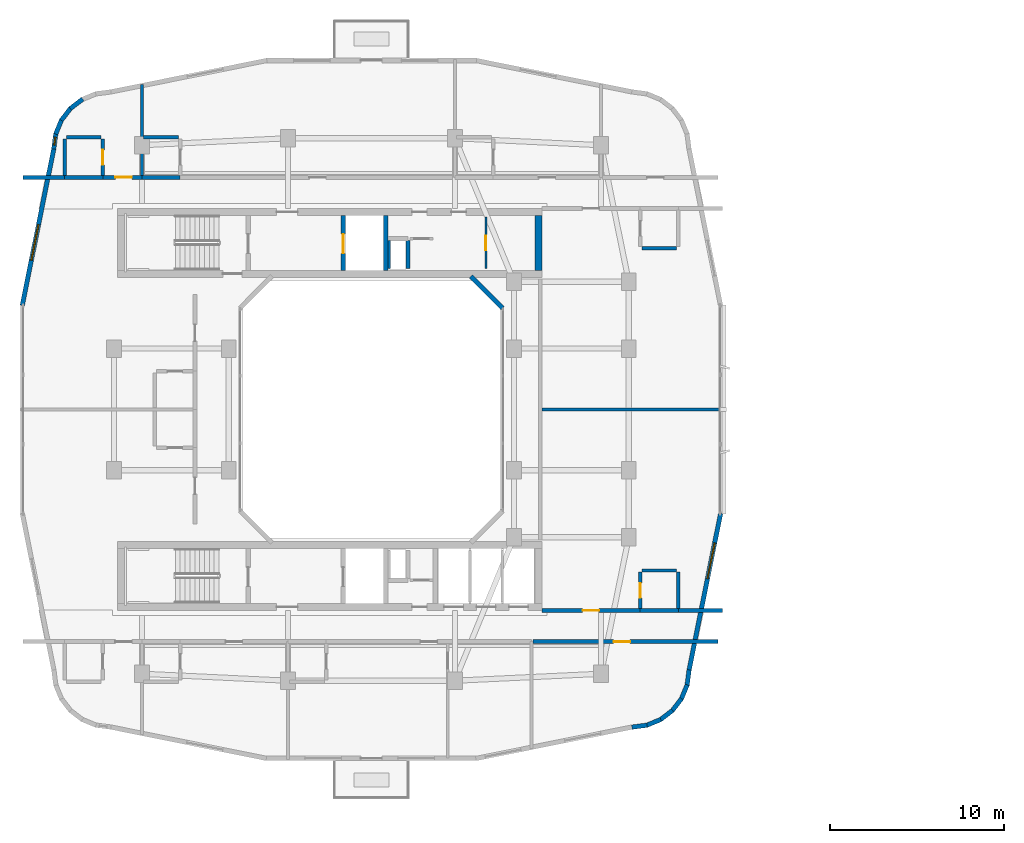
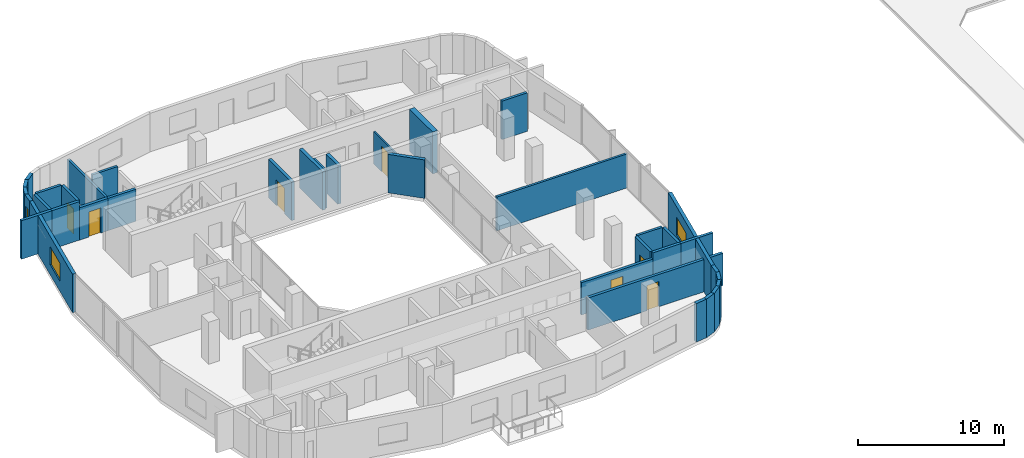
# One storey, part 7 of 13: 37 walls, 7 doors, 3 windows, 10 openings.
"""IFC4 building model written with IfcOpenShell, lengths in metres."""

from ifc_helpers import new_model, si_unit, derived_unit, direction, frame, frame_2d, origin, place, context, subcontext, project, spatial, rectangle, extrude, material, layer, layer_set, type_object, element, fill, save


model = new_model("IFC4")

# Units and contexts
model_context = context("Model", 3, precision=1e-05, world=origin(), true_north=direction((0.0, 1.0)))
body_context = subcontext(model_context, "Body", "Model", "MODEL_VIEW")
ifc_project = project(units=[si_unit("LENGTHUNIT", "METRE"), si_unit("AREAUNIT", "SQUARE_METRE"), si_unit("VOLUMEUNIT", "CUBIC_METRE"), si_unit("PLANEANGLEUNIT", "RADIAN"), si_unit("MASSUNIT", "GRAM", prefix="KILO"), derived_unit("THERMALTRANSMITTANCEUNIT", [(si_unit("POWERUNIT", "WATT"), 1), (si_unit("LENGTHUNIT", "METRE"), -2), (si_unit("THERMODYNAMICTEMPERATUREUNIT", "KELVIN"), -1)])], contexts=[model_context])

# Site, building, storey
site_placement = place(None, origin())
site = spatial("IfcSite", under=ifc_project, at=site_placement, CompositionType="ELEMENT")
building_placement = place(site_placement, origin())
building = spatial("IfcBuilding", under=site, at=building_placement, Name="Kivonza Crest Hotel", CompositionType="ELEMENT")
storey_placement = place(building_placement, frame((0.0, 0.0, 134.5)))
storey = spatial("IfcBuildingStorey", under=building, at=storey_placement, Name="L36", CompositionType="ELEMENT", Elevation=134.5)

# Walls
ifc_material_1 = material(Name="High-density acoustic masonry inter-tenancy wall", Category="masonry")
ifc_layer_1 = layer(ifc_material_1, 0.179931640625)
ifc_layer_set_1 = layer_set([ifc_layer_1], Name="High-density acoustic masonry inter-tenancy wall")
wall_type_1 = type_object("IfcWallType", Name="WL-ACOU-180", PredefinedType="SOLIDWALL", material=ifc_layer_set_1)
wall_1_placement = place(storey_placement, frame((7.800048828125, 38.35009765625, 0.0), z_axis=(0.0, 0.0, 1.0), x_axis=(0.0, 1.0, 0.0)))
element("IfcWall", 1, at=wall_1_placement, inside=storey, type_object=wall_type_1, Name="L36 interior partition WA-L36-T1N-DIV1", PredefinedType="SOLIDWALL", context=body_context, shape_type="SweptSolid", body=[
    extrude(rectangle(XDim=5.350830078125, YDim=0.179931640625, at=frame_2d((2.67529296875, 0.0))), origin(), (0.0, 0.0, 1.0), 2.695068359375),
])
wall_2_placement = place(storey_placement, frame((30.800048828125, 25.0, 0.0), z_axis=(0.0, 0.0, 1.0), x_axis=(1.0, 0.0, 0.0)))
element("IfcWall", 2, at=wall_2_placement, inside=storey, type_object=wall_type_1, Name="L36 interior partition WA-L36-T1EC-DIV", PredefinedType="SOLIDWALL", context=body_context, shape_type="SweptSolid", body=[
    extrude(rectangle(XDim=10.33984375, YDim=0.179931640625, at=frame_2d((5.169921875, 0.0))), origin(), (0.0, 0.0, 1.0), 2.8349609375),
])
ifc_material_2 = material(Name="Autoclaved aerated concrete blockwork", Category="masonry")
ifc_layer_2 = layer(ifc_material_2, 0.219970703125)
ifc_layer_set_2 = layer_set([ifc_layer_2], Name="Autoclaved aerated concrete blockwork")
wall_type_2 = type_object("IfcWallType", Name="WL-ACOU-220", PredefinedType="SOLIDWALL", material=ifc_layer_set_2)
wall_3_placement = place(storey_placement, frame((0.9599609375, 38.35009765625, 0.0), z_axis=(0.0, 0.0, 1.0), x_axis=(1.0, 0.0, 0.0)))
element("IfcWall", 3, at=wall_3_placement, inside=storey, type_object=wall_type_2, Name="L36 interior partition WA-L36-N01-XCORR", PredefinedType="SOLIDWALL", context=body_context, shape_type="SweptSolid", body=[
    extrude(rectangle(XDim=2.39013671875, YDim=0.219970703125, at=frame_2d((1.195068359375, 0.0))), origin(), (0.0, 0.0, 1.0), 3.219970703125),
])
wall_4_placement = place(storey_placement, frame((3.35009765625, 38.35009765625, 0.0), z_axis=(0.0, 0.0, 1.0), x_axis=(1.0, 0.0, 0.0)))
element("IfcWall", 4, at=wall_4_placement, inside=storey, type_object=wall_type_2, Name="L36 interior partition WA-L36-N01-BCORR", PredefinedType="SOLIDWALL", context=body_context, shape_type="SweptSolid", body=[
    extrude(rectangle(XDim=2.199951171875, YDim=0.219970703125, at=frame_2d((1.10009765625, 0.0))), origin(), (0.0, 0.0, 1.0), 3.219970703125),
])

# Wall, opening, door
wall_5_placement = place(storey_placement, frame((5.550048828125, 38.35009765625, 0.0), z_axis=(0.0, 0.0, 1.0), x_axis=(1.0, 0.0, 0.0)))
wall_5 = element("IfcWall", 5, at=wall_5_placement, inside=storey, type_object=wall_type_2, Name="L36 interior partition WA-L36-N01-MCORR", PredefinedType="SOLIDWALL", context=body_context, shape_type="SweptSolid", body=[
    extrude(rectangle(XDim=2.25, YDim=0.219970703125, at=frame_2d((1.125, 0.0))), origin(), (0.0, 0.0, 1.0), 2.695068359375),
])
opening_1_placement = place(wall_5_placement, frame((0.719970703125, 0.0, 0.0)))
opening_1 = element("IfcOpeningElement", 6, at=opening_1_placement, cuts=wall_5, Name="Opening DU-60", PredefinedType="OPENING", context=body_context, shape_type="SweptSolid", body=[
    extrude(rectangle(XDim=0.949951171875, YDim=2.10009765625, at=frame_2d((0.47509765625, 1.050048828125))), frame((0.0, 0.1201171875, 0.0), z_axis=(0.0, -1.0, 0.0), x_axis=(1.0, 0.0, 0.0)), (0.0, 0.0, 1.0), 0.239990234375),
])
ifc_material_3 = material(Name="Hardwood timber oak", Category="wood")
door_type_1 = type_object("IfcDoorType", Name="DR-UNIT-950", OperationType="NOTDEFINED", PredefinedType="DOOR", material=ifc_material_3)
door_1_placement = place(opening_1_placement, origin())
door_1 = element("IfcDoor", 7, at=door_1_placement, inside=storey, type_object=door_type_1, Name="L36 N01 guest unit entrance fire door", OperationType="SINGLE_SWING_LEFT", OverallHeight=2.10009765625, OverallWidth=0.949951171875, PredefinedType="DOOR", context=body_context, shape_type="SweptSolid", body=[
    extrude(rectangle(XDim=0.949951171875, YDim=2.10009765625, at=frame_2d((0.47509765625, 1.050048828125))), frame((0.0, 0.02490234375, 0.0), z_axis=(0.0, -1.0, 0.0), x_axis=(1.0, 0.0, 0.0)), (0.0, 0.0, 1.0), 0.050048828125),
])
fill(opening_1, door_1)

# Wall
wall_6_placement = place(storey_placement, frame((7.800048828125, 38.35009765625, 0.0), z_axis=(0.0, 0.0, 1.0), x_axis=(1.0, 0.0, 0.0)))
element("IfcWall", 8, at=wall_6_placement, inside=storey, type_object=wall_type_2, Name="L36 interior partition WA-L36-N02-BCORR", PredefinedType="SOLIDWALL", context=body_context, shape_type="SweptSolid", body=[
    extrude(rectangle(XDim=2.199951171875, YDim=0.219970703125, at=frame_2d((1.10009765625, 0.0))), origin(), (0.0, 0.0, 1.0), 2.695068359375),
])

# Wall, opening, door
wall_7_placement = place(storey_placement, frame((30.300048828125, 11.64990234375, 0.0), z_axis=(0.0, 0.0, 1.0), x_axis=(1.0, 0.0, 0.0)))
wall_7 = element("IfcWall", 9, at=wall_7_placement, inside=storey, type_object=wall_type_2, Name="L36 interior partition WA-L36-BUS-MTG-N", PredefinedType="SOLIDWALL", context=body_context, shape_type="SweptSolid", body=[
    extrude(rectangle(XDim=10.639892578125, YDim=0.219970703125, at=frame_2d((5.31982421875, 0.0))), origin(), (0.0, 0.0, 1.0), 2.695068359375),
])
opening_2_placement = place(wall_7_placement, frame((4.631103515625, 0.0, 0.0)))
opening_2 = element("IfcOpeningElement", 10, at=opening_2_placement, cuts=wall_7, Name="Opening DF-60S", PredefinedType="OPENING", context=body_context, shape_type="SweptSolid", body=[
    extrude(rectangle(XDim=0.949951171875, YDim=2.10009765625, at=frame_2d((0.47509765625, 1.050048828125))), frame((0.0, 0.1201171875, 0.0), z_axis=(0.0, -1.0, 0.0), x_axis=(1.0, 0.0, 0.0)), (0.0, 0.0, 1.0), 0.239990234375),
])
door_type_2 = type_object("IfcDoorType", Name="DR-FD60-950", OperationType="NOTDEFINED", PredefinedType="DOOR", material=ifc_material_3)
door_2_placement = place(opening_2_placement, frame((0.949951171875, 0.0, 0.0), z_axis=(0.0, 0.0, 1.0), x_axis=(-1.0, 0.0, 0.0)))
door_2 = element("IfcDoor", 11, at=door_2_placement, inside=storey, type_object=door_type_2, Name="L36 Residents Reading Room door", OperationType="SINGLE_SWING_RIGHT", OverallHeight=2.10009765625, OverallWidth=0.949951171875, PredefinedType="DOOR", context=body_context, shape_type="SweptSolid", body=[
    extrude(rectangle(XDim=0.949951171875, YDim=2.10009765625, at=frame_2d((0.47509765625, 1.050048828125))), frame((0.0, 0.02490234375, 0.0), z_axis=(0.0, -1.0, 0.0), x_axis=(1.0, 0.0, 0.0)), (0.0, 0.0, 1.0), 0.050048828125),
])
fill(opening_2, door_2)

# Walls
wall_8_placement = place(storey_placement, frame((38.64990234375, 13.43994140625, 0.0), z_axis=(0.0, 0.0, 1.0), x_axis=(1.0, 0.0, 0.0)))
element("IfcWall", 12, at=wall_8_placement, inside=storey, type_object=wall_type_2, Name="L36 interior partition WA-L36-ES09-XCORR", PredefinedType="SOLIDWALL", context=body_context, shape_type="SweptSolid", body=[
    extrude(rectangle(XDim=2.550048828125, YDim=0.219970703125, at=frame_2d((1.27490234375, 0.0))), origin(), (0.0, 0.0, 1.0), 3.219970703125),
])
wall_9_placement = place(storey_placement, frame((36.449951171875, 13.43994140625, 0.0), z_axis=(0.0, 0.0, 1.0), x_axis=(1.0, 0.0, 0.0)))
element("IfcWall", 13, at=wall_9_placement, inside=storey, type_object=wall_type_2, Name="L36 interior partition WA-L36-ES09-BCORR", PredefinedType="SOLIDWALL", context=body_context, shape_type="SweptSolid", body=[
    extrude(rectangle(XDim=2.199951171875, YDim=0.219970703125, at=frame_2d((1.10009765625, 0.0))), origin(), (0.0, 0.0, 1.0), 3.219970703125),
])

# Wall, opening, door
wall_10_placement = place(storey_placement, frame((30.800048828125, 13.43994140625, 0.0), z_axis=(0.0, 0.0, 1.0), x_axis=(1.0, 0.0, 0.0)))
wall_10 = element("IfcWall", 14, at=wall_10_placement, inside=storey, type_object=wall_type_2, Name="L36 interior partition WA-L36-ES09-MCORR", PredefinedType="SOLIDWALL", context=body_context, shape_type="SweptSolid", body=[
    extrude(rectangle(XDim=5.64990234375, YDim=0.219970703125, at=frame_2d((2.824951171875, 0.0))), origin(), (0.0, 0.0, 1.0), 2.695068359375),
])
opening_3_placement = place(wall_10_placement, frame((2.35009765625, 0.0, 0.0)))
opening_3 = element("IfcOpeningElement", 15, at=opening_3_placement, cuts=wall_10, Name="Opening DU-60", PredefinedType="OPENING", context=body_context, shape_type="SweptSolid", body=[
    extrude(rectangle(XDim=0.949951171875, YDim=2.10009765625, at=frame_2d((0.47509765625, 1.050048828125))), frame((0.0, 0.1201171875, 0.0), z_axis=(0.0, -1.0, 0.0), x_axis=(1.0, 0.0, 0.0)), (0.0, 0.0, 1.0), 0.239990234375),
])
door_3_placement = place(opening_3_placement, origin())
door_3 = element("IfcDoor", 16, at=door_3_placement, inside=storey, type_object=door_type_1, Name="L36 ES09 guest unit entrance fire door", OperationType="SINGLE_SWING_RIGHT", OverallHeight=2.10009765625, OverallWidth=0.949951171875, PredefinedType="DOOR", context=body_context, shape_type="SweptSolid", body=[
    extrude(rectangle(XDim=0.949951171875, YDim=2.10009765625, at=frame_2d((0.47509765625, 1.050048828125))), frame((0.0, 0.02490234375, 0.0), z_axis=(0.0, -1.0, 0.0), x_axis=(1.0, 0.0, 0.0)), (0.0, 0.0, 1.0), 0.050048828125),
])
fill(opening_3, door_3)

# Walls
ifc_material_4 = material(Name="Concrete C50/60", Category="concrete")
ifc_layer_3 = layer(ifc_material_4, 0.39990234375)
ifc_layer_set_3 = layer_set([ifc_layer_3], Name="Concrete C50/60")
wall_type_3 = type_object("IfcWallType", Name="WL-CORE-400", PredefinedType="SHEAR", material=ifc_layer_set_3)
wall_11_placement = place(storey_placement, frame((30.60009765625, 33.0, 0.0), z_axis=(0.0, 0.0, 1.0), x_axis=(0.0, 1.0, 0.0)))
element("IfcWall", 17, at=wall_11_placement, inside=storey, type_object=wall_type_3, Name="Core wall T1-N East L36", PredefinedType="SHEAR", context=body_context, shape_type="SweptSolid", body=[
    extrude(rectangle(XDim=3.159912109375, YDim=0.39990234375, at=frame_2d((1.580078125, 0.0))), origin(), (0.0, 0.0, 1.0), 3.5),
])
ifc_material_5 = material(Name="Precast concrete C40/50", Category="concrete")
ifc_layer_4 = layer(ifc_material_5, 0.260009765625)
ifc_layer_set_4 = layer_set([ifc_layer_4], Name="Precast concrete C40/50")
wall_type_4 = type_object("IfcWallType", Name="WL-EXT-260", PredefinedType="STANDARD", material=ifc_layer_set_4)
wall_12_placement = place(storey_placement, frame((35.97509765625, 6.72802734375, 0.0), z_axis=(0.0, 0.0, 1.0), x_axis=(0.991388484223, 0.130953706898, 0.0)))
element("IfcWall", 18, at=wall_12_placement, inside=storey, type_object=wall_type_4, Name="L36 T1 exterior insulated wall 10", PredefinedType="STANDARD", context=body_context, shape_type="SweptSolid", body=[
    extrude(rectangle(XDim=0.885498046875, YDim=0.260009765625, at=frame_2d((0.44287109375, 0.0))), origin(), (0.0, 0.0, 1.0), 3.219970703125),
])
wall_13_placement = place(storey_placement, frame((36.806884765625, 6.825927734375, 0.0), z_axis=(0.0, 0.0, 1.0), x_axis=(0.923627776508, 0.383290660547, 0.0)))
element("IfcWall", 19, at=wall_13_placement, inside=storey, type_object=wall_type_4, Name="L36 T1 exterior insulated wall 11", PredefinedType="STANDARD", context=body_context, shape_type="SweptSolid", body=[
    extrude(rectangle(XDim=0.9033203125, YDim=0.260009765625, at=frame_2d((0.45166015625, 0.0))), origin(), (0.0, 0.0, 1.0), 3.219970703125),
])
wall_14_placement = place(storey_placement, frame((37.60107421875, 7.14404296875, 0.0), z_axis=(0.0, 0.0, 1.0), x_axis=(0.793458244748, 0.608624690463, 0.0)))
element("IfcWall", 20, at=wall_14_placement, inside=storey, type_object=wall_type_4, Name="L36 T1 exterior insulated wall 12", PredefinedType="STANDARD", context=body_context, shape_type="SweptSolid", body=[
    extrude(rectangle(XDim=0.902099609375, YDim=0.260009765625, at=frame_2d((0.451171875, 0.0))), origin(), (0.0, 0.0, 1.0), 3.219970703125),
])
wall_15_placement = place(storey_placement, frame((38.285888671875, 7.655029296875, 0.0), z_axis=(0.0, 0.0, 1.0), x_axis=(0.608494022858, 0.793558456666, 0.0)))
element("IfcWall", 21, at=wall_15_placement, inside=storey, type_object=wall_type_4, Name="L36 T1 exterior insulated wall 13", PredefinedType="STANDARD", context=body_context, shape_type="SweptSolid", body=[
    extrude(rectangle(XDim=0.90234375, YDim=0.260009765625, at=frame_2d((0.451171875, 0.0))), origin(), (0.0, 0.0, 1.0), 3.219970703125),
])
wall_16_placement = place(storey_placement, frame((38.81396484375, 8.326904296875, 0.0), z_axis=(0.0, 0.0, 1.0), x_axis=(0.383155708213, 0.923683767999, 0.0)))
element("IfcWall", 22, at=wall_16_placement, inside=storey, type_object=wall_type_4, Name="L36 T1 exterior insulated wall 14", PredefinedType="STANDARD", context=body_context, shape_type="SweptSolid", body=[
    extrude(rectangle(XDim=0.90283203125, YDim=0.260009765625, at=frame_2d((0.451416015625, 0.0))), origin(), (0.0, 0.0, 1.0), 3.219970703125),
])
wall_17_placement = place(storey_placement, frame((39.152099609375, 9.112060546875, 0.0), z_axis=(0.0, 0.0, 1.0), x_axis=(0.130200706103, 0.991487658083, 0.0)))
element("IfcWall", 23, at=wall_17_placement, inside=storey, type_object=wall_type_4, Name="L36 T1 exterior insulated wall 15", PredefinedType="STANDARD", context=body_context, shape_type="SweptSolid", body=[
    extrude(rectangle(XDim=0.920654296875, YDim=0.260009765625, at=frame_2d((0.46044921875, 0.0))), origin(), (0.0, 0.0, 1.0), 3.219970703125),
])

# Wall, opening, window
wall_18_placement = place(storey_placement, frame((39.27099609375, 10.01806640625, 0.0), z_axis=(0.0, 0.0, 1.0), x_axis=(0.197435082048, 0.980315963543, 0.0)))
wall_18 = element("IfcWall", 24, at=wall_18_placement, inside=storey, type_object=wall_type_4, Name="L36 T1 exterior insulated wall 16", PredefinedType="STANDARD", context=body_context, shape_type="SweptSolid", body=[
    extrude(rectangle(XDim=9.1826171875, YDim=0.260009765625, at=frame_2d((4.59130859375, 0.0))), origin(), (0.0, 0.0, 1.0), 3.219970703125),
])
opening_4_placement = place(wall_18_placement, frame((5.34912109375, 0.0, 0.85009765625)))
opening_4 = element("IfcOpeningElement", 25, at=opening_4_placement, cuts=wall_18, Name="Opening WN-04", PredefinedType="OPENING", context=body_context, shape_type="SweptSolid", body=[
    extrude(rectangle(XDim=2.10009765625, YDim=1.5, at=frame_2d((1.050048828125, 0.75))), frame((0.0, 0.14013671875, 0.0), z_axis=(0.0, -1.0, 0.0), x_axis=(1.0, 0.0, 0.0)), (0.0, 0.0, 1.0), 0.280029296875),
])
ifc_material_6 = material(Name="Thermally broken bronze aluminium and low-E double glazing", Category="aluminium")
window_type_1 = type_object("IfcWindowType", Name="WN-210x150", PartitioningType="DOUBLE_PANEL_VERTICAL", PredefinedType="WINDOW", material=ifc_material_6)
window_1_placement = place(opening_4_placement, origin())
window_1 = element("IfcWindow", 26, at=window_1_placement, inside=storey, type_object=window_type_1, Name="L36 T1 facade window 16", OverallHeight=1.5, OverallWidth=2.10009765625, PartitioningType="SINGLE_PANEL", PredefinedType="WINDOW", context=body_context, shape_type="SweptSolid", body=[
    extrude(rectangle(XDim=2.10009765625, YDim=1.5, at=frame_2d((1.050048828125, 0.75))), frame((0.0, 0.030029296875, 0.0), z_axis=(0.0, -1.0, 0.0), x_axis=(1.0, 0.0, 0.0)), (0.0, 0.0, 1.0), 0.06005859375),
])
fill(opening_4, window_1)

# Walls
wall_19_placement = place(storey_placement, frame((4.39892578125, 42.85595703125, 0.0), z_axis=(0.0, 0.0, 1.0), x_axis=(-0.793458244748, -0.608624690463, 0.0)))
element("IfcWall", 27, at=wall_19_placement, inside=storey, type_object=wall_type_4, Name="L36 T1 exterior insulated wall 30", PredefinedType="STANDARD", context=body_context, shape_type="SweptSolid", body=[
    extrude(rectangle(XDim=0.902099609375, YDim=0.260009765625, at=frame_2d((0.451171875, 0.0))), origin(), (0.0, 0.0, 1.0), 3.219970703125),
])
wall_20_placement = place(storey_placement, frame((3.714111328125, 42.344970703125, 0.0), z_axis=(0.0, 0.0, 1.0), x_axis=(-0.608494022858, -0.793558456666, 0.0)))
element("IfcWall", 28, at=wall_20_placement, inside=storey, type_object=wall_type_4, Name="L36 T1 exterior insulated wall 31", PredefinedType="STANDARD", context=body_context, shape_type="SweptSolid", body=[
    extrude(rectangle(XDim=0.90234375, YDim=0.260009765625, at=frame_2d((0.451171875, 0.0))), origin(), (0.0, 0.0, 1.0), 3.219970703125),
])
wall_21_placement = place(storey_placement, frame((3.18603515625, 41.673095703125, 0.0), z_axis=(0.0, 0.0, 1.0), x_axis=(-0.383155708213, -0.923683767999, 0.0)))
element("IfcWall", 29, at=wall_21_placement, inside=storey, type_object=wall_type_4, Name="L36 T1 exterior insulated wall 32", PredefinedType="STANDARD", context=body_context, shape_type="SweptSolid", body=[
    extrude(rectangle(XDim=0.90283203125, YDim=0.260009765625, at=frame_2d((0.451416015625, 0.0))), origin(), (0.0, 0.0, 1.0), 3.219970703125),
])

# Wall, opening, window
wall_22_placement = place(storey_placement, frame((2.847900390625, 40.887939453125, 0.0), z_axis=(0.0, 0.0, 1.0), x_axis=(-0.130200706103, -0.991487658083, 0.0)))
wall_22 = element("IfcWall", 30, at=wall_22_placement, inside=storey, type_object=wall_type_4, Name="L36 T1 exterior insulated wall 33", PredefinedType="STANDARD", context=body_context, shape_type="SweptSolid", body=[
    extrude(rectangle(XDim=0.920654296875, YDim=0.260009765625, at=frame_2d((0.46044921875, 0.0))), origin(), (0.0, 0.0, 1.0), 3.219970703125),
])
opening_5_placement = place(wall_22_placement, frame((0.235107421875, 0.0, 0.85009765625)))
opening_5 = element("IfcOpeningElement", 31, at=opening_5_placement, cuts=wall_22, Name="Opening WN-11", PredefinedType="OPENING", context=body_context, shape_type="SweptSolid", body=[
    extrude(rectangle(XDim=0.449951171875, YDim=1.5, at=frame_2d((0.22509765625, 0.75))), frame((0.0, 0.14013671875, 0.0), z_axis=(0.0, -1.0, 0.0), x_axis=(1.0, 0.0, 0.0)), (0.0, 0.0, 1.0), 0.280029296875),
])
window_type_2 = type_object("IfcWindowType", Name="WN-045x150", PartitioningType="SINGLE_PANEL", PredefinedType="WINDOW", material=ifc_material_6)
window_2_placement = place(opening_5_placement, origin())
window_2 = element("IfcWindow", 32, at=window_2_placement, inside=storey, type_object=window_type_2, Name="L36 corner vision window 1", OverallHeight=1.5, OverallWidth=0.449951171875, PartitioningType="SINGLE_PANEL", PredefinedType="WINDOW", context=body_context, shape_type="SweptSolid", body=[
    extrude(rectangle(XDim=0.449951171875, YDim=1.5, at=frame_2d((0.22509765625, 0.75))), frame((0.0, 0.030029296875, 0.0), z_axis=(0.0, -1.0, 0.0), x_axis=(1.0, 0.0, 0.0)), (0.0, 0.0, 1.0), 0.06005859375),
])
fill(opening_5, window_2)

wall_23_placement = place(storey_placement, frame((2.72900390625, 39.98193359375, 0.0), z_axis=(0.0, 0.0, 1.0), x_axis=(-0.197435082048, -0.980315963543, 0.0)))
wall_23 = element("IfcWall", 33, at=wall_23_placement, inside=storey, type_object=wall_type_4, Name="L36 T1 exterior insulated wall 34", PredefinedType="STANDARD", context=body_context, shape_type="SweptSolid", body=[
    extrude(rectangle(XDim=9.1826171875, YDim=0.260009765625, at=frame_2d((4.59130859375, 0.0))), origin(), (0.0, 0.0, 1.0), 3.219970703125),
])
opening_6_placement = place(wall_23_placement, frame((4.43603515625, 0.0, 0.85009765625)))
opening_6 = element("IfcOpeningElement", 34, at=opening_6_placement, cuts=wall_23, Name="Opening WN-04", PredefinedType="OPENING", context=body_context, shape_type="SweptSolid", body=[
    extrude(rectangle(XDim=2.10009765625, YDim=1.5, at=frame_2d((1.050048828125, 0.75))), frame((0.0, 0.14013671875, 0.0), z_axis=(0.0, -1.0, 0.0), x_axis=(1.0, 0.0, 0.0)), (0.0, 0.0, 1.0), 0.280029296875),
])
window_3_placement = place(opening_6_placement, origin())
window_3 = element("IfcWindow", 35, at=window_3_placement, inside=storey, type_object=window_type_1, Name="L36 T1 facade window 34", OverallHeight=1.5, OverallWidth=2.10009765625, PartitioningType="SINGLE_PANEL", PredefinedType="WINDOW", context=body_context, shape_type="SweptSolid", body=[
    extrude(rectangle(XDim=2.10009765625, YDim=1.5, at=frame_2d((1.050048828125, 0.75))), frame((0.0, 0.030029296875, 0.0), z_axis=(0.0, -1.0, 0.0), x_axis=(1.0, 0.0, 0.0)), (0.0, 0.0, 1.0), 0.06005859375),
])
fill(opening_6, window_3)

# Walls
wall_24_placement = place(storey_placement, frame((28.555908203125, 30.827880859375, 0.0), z_axis=(0.0, 0.0, 1.0), x_axis=(-0.707059717605, 0.707153841636, 0.0)))
element("IfcWall", 36, at=wall_24_placement, inside=storey, type_object=wall_type_4, Name="L36 T1 light-well exterior wall 4", PredefinedType="STANDARD", context=body_context, shape_type="SweptSolid", body=[
    extrude(rectangle(XDim=2.59375, YDim=0.260009765625, at=frame_2d((1.296875, 0.0))), origin(), (0.0, 0.0, 1.0), 3.219970703125),
])
ifc_material_7 = material(Name="Concrete blockwork fire-compartment wall", Category="masonry")
ifc_layer_5 = layer(ifc_material_7, 0.25)
ifc_layer_set_5 = layer_set([ifc_layer_5], Name="Concrete blockwork fire-compartment wall")
wall_type_5 = type_object("IfcWallType", Name="WL-FIRE-250", PredefinedType="SOLIDWALL", material=ifc_layer_set_5)
wall_25_placement = place(storey_placement, frame((23.10009765625, 33.10009765625, 0.0), z_axis=(0.0, 0.0, 1.0), x_axis=(0.0, 1.0, 0.0)))
element("IfcWall", 37, at=wall_25_placement, inside=storey, type_object=wall_type_5, Name="L36 interior partition WA-L36-T1-N-MEPR-E", PredefinedType="SOLIDWALL", context=body_context, shape_type="SweptSolid", body=[
    extrude(rectangle(XDim=1.619873046875, YDim=0.25, at=frame_2d((0.81005859375, 0.0))), origin(), (0.0, 0.0, 1.0), 3.219970703125),
])

# Wall, opening, door
ifc_material_8 = material(Name="Metal-stud gypsum board partition", Category="gypsum")
ifc_layer_6 = layer(ifc_material_8, 0.125)
ifc_layer_set_6 = layer_set([ifc_layer_6], Name="Metal-stud gypsum board partition")
wall_type_6 = type_object("IfcWallType", Name="WL-PART-125", PredefinedType="PARTITIONING", material=ifc_layer_set_6)
wall_26_placement = place(storey_placement, frame((27.580078125, 33.10009765625, 0.0), z_axis=(0.0, 0.0, 1.0), x_axis=(0.0, 1.0, 0.0)))
wall_26 = element("IfcWall", 38, at=wall_26_placement, inside=storey, type_object=wall_type_6, Name="L36 interior partition WP-L36-T1-N-RECL", PredefinedType="PARTITIONING", context=body_context, shape_type="SweptSolid", body=[
    extrude(rectangle(XDim=2.9599609375, YDim=0.125, at=frame_2d((1.47998046875, 0.0))), origin(), (0.0, 0.0, 1.0), 2.695068359375),
])
opening_7_placement = place(wall_26_placement, frame((1.054931640625, 0.0, 0.0)))
opening_7 = element("IfcOpeningElement", 39, at=opening_7_placement, cuts=wall_26, Name="Opening DI-85", PredefinedType="OPENING", context=body_context, shape_type="SweptSolid", body=[
    extrude(rectangle(XDim=0.85009765625, YDim=2.10009765625, at=frame_2d((0.425048828125, 1.050048828125))), frame((0.0, 0.072509765625, 0.0), z_axis=(0.0, -1.0, 0.0), x_axis=(1.0, 0.0, 0.0)), (0.0, 0.0, 1.0), 0.14501953125),
])
door_type_3 = type_object("IfcDoorType", Name="DR-INT-850", OperationType="NOTDEFINED", PredefinedType="DOOR", material=ifc_material_3)
door_4_placement = place(opening_7_placement, origin())
door_4 = element("IfcDoor", 40, at=door_4_placement, inside=storey, type_object=door_type_3, Name="L36 T1-N reclaimed inner pantry door", OperationType="SINGLE_SWING_LEFT", OverallHeight=2.10009765625, OverallWidth=0.85009765625, PredefinedType="DOOR", context=body_context, shape_type="SweptSolid", body=[
    extrude(rectangle(XDim=0.85009765625, YDim=2.10009765625, at=frame_2d((0.425048828125, 1.050048828125))), frame((0.0, 0.02490234375, 0.0), z_axis=(0.0, -1.0, 0.0), x_axis=(1.0, 0.0, 0.0)), (0.0, 0.0, 1.0), 0.050048828125),
])
fill(opening_7, door_4)

# Wall
ifc_material_9 = material(Name="Twin-stud acoustic gypsum board partition", Category="gypsum")
ifc_layer_7 = layer(ifc_material_9, 0.14990234375)
ifc_layer_set_7 = layer_set([ifc_layer_7], Name="Twin-stud acoustic gypsum board partition")
wall_type_7 = type_object("IfcWallType", Name="WL-PART-150", PredefinedType="PARTITIONING", material=ifc_layer_set_7)
wall_27_placement = place(storey_placement, frame((22.030029296875, 33.10009765625, 0.0), z_axis=(0.0, 0.0, 1.0), x_axis=(0.0, 1.0, 0.0)))
element("IfcWall", 41, at=wall_27_placement, inside=storey, type_object=wall_type_7, Name="L36 interior partition WA-L36-T1-N-MEPR-W", PredefinedType="PARTITIONING", context=body_context, shape_type="SweptSolid", body=[
    extrude(rectangle(XDim=1.619873046875, YDim=0.14990234375, at=frame_2d((0.81005859375, 0.0))), origin(), (0.0, 0.0, 1.0), 3.219970703125),
])

# Wall, opening, door
ifc_material_10 = material(Name="Moisture-resistant plumbing chase partition wall", Category="gypsum")
ifc_layer_8 = layer(ifc_material_10, 0.199951171875)
ifc_layer_set_8 = layer_set([ifc_layer_8], Name="Moisture-resistant plumbing chase partition wall")
wall_type_8 = type_object("IfcWallType", Name="WL-PLUMB-200", PredefinedType="PLUMBINGWALL", material=ifc_layer_set_8)
wall_28_placement = place(storey_placement, frame((5.550048828125, 38.449951171875, 0.0), z_axis=(0.0, 0.0, 1.0), x_axis=(0.0, 1.0, 0.0)))
wall_28 = element("IfcWall", 42, at=wall_28_placement, inside=storey, type_object=wall_type_8, Name="L36 interior partition WW-L36-N01-BV", PredefinedType="PLUMBINGWALL", context=body_context, shape_type="SweptSolid", body=[
    extrude(rectangle(XDim=2.10009765625, YDim=0.199951171875, at=frame_2d((1.050048828125, 0.0))), origin(), (0.0, 0.0, 1.0), 3.219970703125),
])
opening_8_placement = place(wall_28_placement, frame((0.625, 0.0, 0.0)))
opening_8 = element("IfcOpeningElement", 43, at=opening_8_placement, cuts=wall_28, Name="Opening DI-85", PredefinedType="OPENING", context=body_context, shape_type="SweptSolid", body=[
    extrude(rectangle(XDim=0.85009765625, YDim=2.10009765625, at=frame_2d((0.425048828125, 1.050048828125))), frame((0.0, 0.10986328125, 0.0), z_axis=(0.0, -1.0, 0.0), x_axis=(1.0, 0.0, 0.0)), (0.0, 0.0, 1.0), 0.219970703125),
])
door_5_placement = place(opening_8_placement, frame((0.85009765625, 0.0, 0.0), z_axis=(0.0, 0.0, 1.0), x_axis=(-1.0, 0.0, 0.0)))
door_5 = element("IfcDoor", 44, at=door_5_placement, inside=storey, type_object=door_type_3, Name="L36 N01 en-suite bathroom door", OperationType="SINGLE_SWING_RIGHT", OverallHeight=2.10009765625, OverallWidth=0.85009765625, PredefinedType="DOOR", context=body_context, shape_type="SweptSolid", body=[
    extrude(rectangle(XDim=0.85009765625, YDim=2.10009765625, at=frame_2d((0.425048828125, 1.050048828125))), frame((0.0, 0.02490234375, 0.0), z_axis=(0.0, -1.0, 0.0), x_axis=(1.0, 0.0, 0.0)), (0.0, 0.0, 1.0), 0.050048828125),
])
fill(opening_8, door_5)

# Walls
wall_29_placement = place(storey_placement, frame((3.449951171875, 40.64990234375, 0.0), z_axis=(0.0, 0.0, 1.0), x_axis=(1.0, 0.0, 0.0)))
element("IfcWall", 45, at=wall_29_placement, inside=storey, type_object=wall_type_8, Name="L36 interior partition WW-L36-N01-BH", PredefinedType="PLUMBINGWALL", context=body_context, shape_type="SweptSolid", body=[
    extrude(rectangle(XDim=2.0, YDim=0.199951171875, at=frame_2d((1.0, 0.0))), origin(), (0.0, 0.0, 1.0), 3.219970703125),
])
wall_30_placement = place(storey_placement, frame((3.35009765625, 38.449951171875, 0.0), z_axis=(0.0, 0.0, 1.0), x_axis=(0.0, 1.0, 0.0)))
element("IfcWall", 46, at=wall_30_placement, inside=storey, type_object=wall_type_8, Name="L36 interior partition WW-L36-N01-BVW", PredefinedType="PLUMBINGWALL", context=body_context, shape_type="SweptSolid", body=[
    extrude(rectangle(XDim=2.10009765625, YDim=0.199951171875, at=frame_2d((1.050048828125, 0.0))), origin(), (0.0, 0.0, 1.0), 3.219970703125),
])
wall_31_placement = place(storey_placement, frame((7.89990234375, 40.64990234375, 0.0), z_axis=(0.0, 0.0, 1.0), x_axis=(1.0, 0.0, 0.0)))
element("IfcWall", 47, at=wall_31_placement, inside=storey, type_object=wall_type_8, Name="L36 interior partition WW-L36-N02-BH", PredefinedType="PLUMBINGWALL", context=body_context, shape_type="SweptSolid", body=[
    extrude(rectangle(XDim=2.0, YDim=0.199951171875, at=frame_2d((1.0, 0.0))), origin(), (0.0, 0.0, 1.0), 3.219970703125),
])

# Wall, opening, door
wall_32_placement = place(storey_placement, frame((36.449951171875, 13.5400390625, 0.0), z_axis=(0.0, 0.0, 1.0), x_axis=(0.0, 1.0, 0.0)))
wall_32 = element("IfcWall", 48, at=wall_32_placement, inside=storey, type_object=wall_type_8, Name="L36 interior partition WW-L36-ES09-BV", PredefinedType="PLUMBINGWALL", context=body_context, shape_type="SweptSolid", body=[
    extrude(rectangle(XDim=2.099853515625, YDim=0.199951171875, at=frame_2d((1.0498046875, 0.0))), origin(), (0.0, 0.0, 1.0), 3.219970703125),
])
opening_9_placement = place(wall_32_placement, frame((0.625, 0.0, 0.0)))
opening_9 = element("IfcOpeningElement", 49, at=opening_9_placement, cuts=wall_32, Name="Opening DI-85", PredefinedType="OPENING", context=body_context, shape_type="SweptSolid", body=[
    extrude(rectangle(XDim=0.85009765625, YDim=2.10009765625, at=frame_2d((0.425048828125, 1.050048828125))), frame((0.0, 0.10986328125, 0.0), z_axis=(0.0, -1.0, 0.0), x_axis=(1.0, 0.0, 0.0)), (0.0, 0.0, 1.0), 0.219970703125),
])
door_6_placement = place(opening_9_placement, origin())
door_6 = element("IfcDoor", 50, at=door_6_placement, inside=storey, type_object=door_type_3, Name="L36 ES09 en-suite bathroom door", OperationType="SINGLE_SWING_LEFT", OverallHeight=2.10009765625, OverallWidth=0.85009765625, PredefinedType="DOOR", context=body_context, shape_type="SweptSolid", body=[
    extrude(rectangle(XDim=0.85009765625, YDim=2.10009765625, at=frame_2d((0.425048828125, 1.050048828125))), frame((0.0, 0.02490234375, 0.0), z_axis=(0.0, -1.0, 0.0), x_axis=(1.0, 0.0, 0.0)), (0.0, 0.0, 1.0), 0.050048828125),
])
fill(opening_9, door_6)

# Walls
wall_33_placement = place(storey_placement, frame((36.550048828125, 15.739990234375, 0.0), z_axis=(0.0, 0.0, 1.0), x_axis=(1.0, 0.0, 0.0)))
element("IfcWall", 51, at=wall_33_placement, inside=storey, type_object=wall_type_8, Name="L36 interior partition WW-L36-ES09-BH", PredefinedType="PLUMBINGWALL", context=body_context, shape_type="SweptSolid", body=[
    extrude(rectangle(XDim=2.0, YDim=0.199951171875, at=frame_2d((1.0, 0.0))), origin(), (0.0, 0.0, 1.0), 3.219970703125),
])
wall_34_placement = place(storey_placement, frame((38.64990234375, 13.5400390625, 0.0), z_axis=(0.0, 0.0, 1.0), x_axis=(0.0, 1.0, 0.0)))
element("IfcWall", 52, at=wall_34_placement, inside=storey, type_object=wall_type_8, Name="L36 interior partition WW-L36-ES09-BVE", PredefinedType="PLUMBINGWALL", context=body_context, shape_type="SweptSolid", body=[
    extrude(rectangle(XDim=2.099853515625, YDim=0.199951171875, at=frame_2d((1.0498046875, 0.0))), origin(), (0.0, 0.0, 1.0), 3.219970703125),
])
wall_35_placement = place(storey_placement, frame((36.550048828125, 34.260009765625, 0.0), z_axis=(0.0, 0.0, 1.0), x_axis=(1.0, 0.0, 0.0)))
element("IfcWall", 53, at=wall_35_placement, inside=storey, type_object=wall_type_8, Name="L36 interior partition WW-L36-EN10-BH", PredefinedType="PLUMBINGWALL", context=body_context, shape_type="SweptSolid", body=[
    extrude(rectangle(XDim=2.0, YDim=0.199951171875, at=frame_2d((1.0, 0.0))), origin(), (0.0, 0.0, 1.0), 3.219970703125),
])

# Wall, opening, door
ifc_layer_9 = layer(ifc_material_4, 0.25)
ifc_layer_set_9 = layer_set([ifc_layer_9], Name="Concrete C50/60")
wall_type_9 = type_object("IfcWallType", Name="WL-SHAFT-250", PredefinedType="STANDARD", material=ifc_layer_set_9)
wall_36_placement = place(storey_placement, frame((19.375, 33.0, 0.0), z_axis=(0.0, 0.0, 1.0), x_axis=(0.0, 1.0, 0.0)))
wall_36 = element("IfcWall", 54, at=wall_36_placement, inside=storey, type_object=wall_type_9, Name="Core shaft wall T1-N FFL-W L36", PredefinedType="STANDARD", context=body_context, shape_type="SweptSolid", body=[
    extrude(rectangle(XDim=3.159912109375, YDim=0.25, at=frame_2d((1.580078125, 0.0))), origin(), (0.0, 0.0, 1.0), 3.219970703125),
])
opening_10_placement = place(wall_36_placement, frame((0.97998046875, 0.0, 0.0)))
opening_10 = element("IfcOpeningElement", 55, at=opening_10_placement, cuts=wall_36, Name="Opening LD-120", PredefinedType="OPENING", context=body_context, shape_type="SweptSolid", body=[
    extrude(rectangle(XDim=1.10009765625, YDim=2.14990234375, at=frame_2d((0.550048828125, 1.074951171875))), frame((0.0, 0.135009765625, 0.0), z_axis=(0.0, -1.0, 0.0), x_axis=(1.0, 0.0, 0.0)), (0.0, 0.0, 1.0), 0.27001953125),
])
ifc_material_11 = material(Name="Stainless steel", Category="steel")
door_type_4 = type_object("IfcDoorType", Name="DR-LD120-1100", OperationType="NOTDEFINED", PredefinedType="DOOR", material=ifc_material_11)
door_7_placement = place(opening_10_placement, origin())
door_7 = element("IfcDoor", 56, at=door_7_placement, inside=storey, type_object=door_type_4, Name="L36 FFL-T1-N firefighting lift sliding landing door", OperationType="DOUBLE_DOOR_SLIDING", OverallHeight=2.14990234375, OverallWidth=1.10009765625, PredefinedType="DOOR", context=body_context, shape_type="SweptSolid", body=[
    extrude(rectangle(XDim=1.10009765625, YDim=2.14990234375, at=frame_2d((0.550048828125, 1.074951171875))), frame((0.0, 0.02490234375, 0.0), z_axis=(0.0, -1.0, 0.0), x_axis=(1.0, 0.0, 0.0)), (0.0, 0.0, 1.0), 0.050048828125),
])
fill(opening_10, door_7)

# Wall
wall_37_placement = place(storey_placement, frame((21.824951171875, 33.0, 0.0), z_axis=(0.0, 0.0, 1.0), x_axis=(0.0, 1.0, 0.0)))
element("IfcWall", 57, at=wall_37_placement, inside=storey, type_object=wall_type_9, Name="Core shaft wall T1-N FFL-E L36", PredefinedType="STANDARD", context=body_context, shape_type="SweptSolid", body=[
    extrude(rectangle(XDim=3.159912109375, YDim=0.25, at=frame_2d((1.580078125, 0.0))), origin(), (0.0, 0.0, 1.0), 3.219970703125),
])

save(model, "model.ifc")
